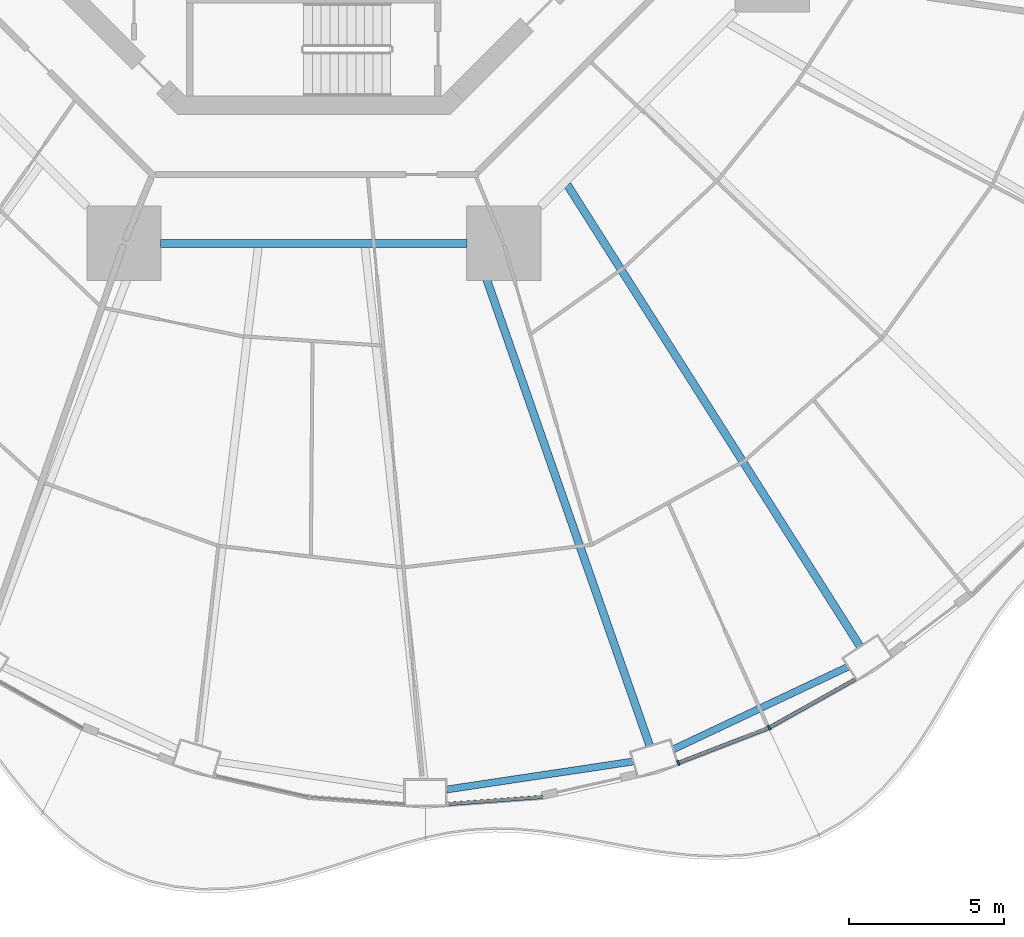
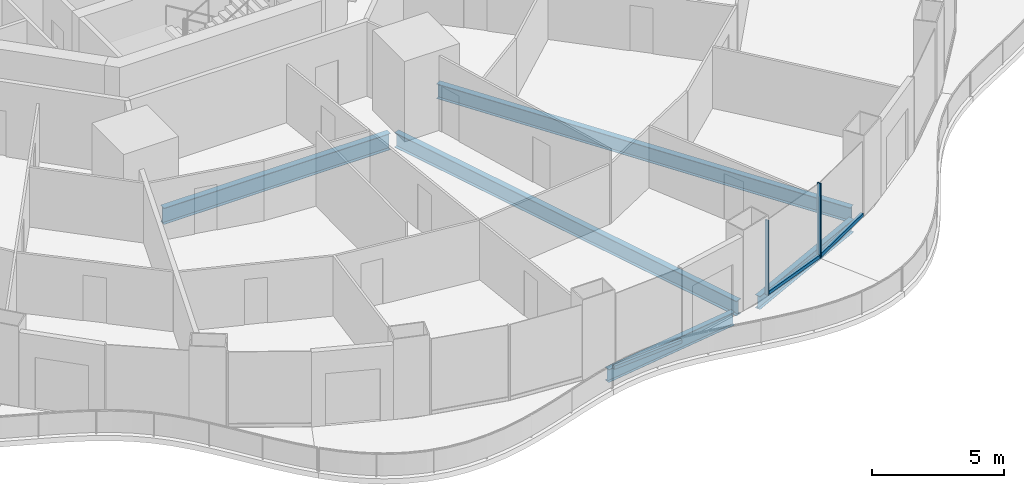
# One storey, part 4 of 22: 5 beams, 5 members, 3 elements without a shape of their own.
"""IFC4 building model written with IfcOpenShell, lengths in metres."""

from ifc_helpers import new_model, si_unit, direction, frame, origin, origin_2d, place, context, subcontext, project, spatial, rectangle, i_section, extrude, material, layer, layer_set, material_profile, profile_set, type_object, element, aggregate, save


model = new_model("IFC4")

# Units and contexts
model_context = context("Model", 3, precision=1e-05, world=origin(), true_north=direction((0.0, 1.0)))
body_context = subcontext(model_context, "Body", "Model", "MODEL_VIEW")
ifc_project = project(units=[si_unit("LENGTHUNIT", "METRE"), si_unit("AREAUNIT", "SQUARE_METRE"), si_unit("VOLUMEUNIT", "CUBIC_METRE"), si_unit("PLANEANGLEUNIT", "RADIAN"), si_unit("MASSUNIT", "GRAM", prefix="KILO")], contexts=[model_context])

# Site, building, storey
site_placement = place(None, origin())
site = spatial("IfcSite", under=ifc_project, at=site_placement, CompositionType="ELEMENT")
building_placement = place(site_placement, origin())
building = spatial("IfcBuilding", under=site, at=building_placement, Name="Nagisa Residences", CompositionType="ELEMENT")
storey_placement = place(building_placement, frame((0.0, 0.0, 30.699951171875)))
storey = spatial("IfcBuildingStorey", under=building, at=storey_placement, Name="L06", CompositionType="ELEMENT", Elevation=30.699951171875)

# Curtain wall, member
ifc_material_1 = material(Name="Concrete-coloured aluminium curtain wall system", Category="concrete")
ifc_layer = layer(ifc_material_1, 0.159912109375)
ifc_layer_set = layer_set([ifc_layer], Name="CW1 CURTAIN WALL")
curtain_wall_type = type_object("IfcCurtainWallType", Name="CW1 CURTAIN WALL", PredefinedType="NOTDEFINED", material=ifc_layer_set)
curtain_wall_1_placement = place(storey_placement, origin())
curtain_wall_1 = element("IfcCurtainWall", 1, at=curtain_wall_1_placement, inside=storey, type_object=curtain_wall_type, Name="cw:CW1:L06:38", PredefinedType="NOTDEFINED")
ifc_material_2 = material(Name="Concrete-coloured aluminium", Category="concrete")
ifc_material_profile_1 = material_profile(ifc_material_2, rectangle(XDim=0.159912109375, YDim=0.06005859375, at=origin_2d()), Name="CW1 MULLION 160x60")
ifc_profile_set_1 = profile_set([ifc_material_profile_1], Name="Concrete-coloured aluminium")
member_type_1 = type_object("IfcMemberType", Name="CW1 MULLION 160x60", PredefinedType="MULLION", material=ifc_profile_set_1)
member_1_placement = place(storey_placement, frame((11.7578125, -31.537841796875, 0.0), z_axis=(0.0, 0.0, 1.0), x_axis=(-0.360327770268, 0.932825759707, 0.0)))
member_1 = element("IfcMember", 2, at=member_1_placement, type_object=member_type_1, Name="CW1 mullion", PredefinedType="MULLION", context=body_context, shape_type="SweptSolid", body=[
    extrude(rectangle(XDim=0.159912109375, YDim=0.06005859375, at=origin_2d()), origin(), (0.0, 0.0, 1.0), 3.43994140625),
])

curtain_wall_2_placement = place(storey_placement, origin())
curtain_wall_2 = element("IfcCurtainWall", 3, at=curtain_wall_2_placement, inside=storey, type_object=curtain_wall_type, Name="cw:CW1:L06:39", PredefinedType="NOTDEFINED")
member_2_placement = place(storey_placement, frame((14.684814453125, -30.403564453125, 0.0), z_axis=(0.0, 0.0, 1.0), x_axis=(-0.489376918501, 0.872072377523, 0.0)))
member_2 = element("IfcMember", 4, at=member_2_placement, type_object=member_type_1, Name="CW1 mullion", PredefinedType="MULLION", context=body_context, shape_type="SweptSolid", body=[
    extrude(rectangle(XDim=0.159912109375, YDim=0.06005859375, at=origin_2d()), origin(), (0.0, 0.0, 1.0), 3.43994140625),
])

curtain_wall_3_placement = place(storey_placement, origin())
curtain_wall_3 = element("IfcCurtainWall", 5, at=curtain_wall_3_placement, inside=storey, type_object=curtain_wall_type, Name="cw:CW1:L06:36", PredefinedType="NOTDEFINED")
ifc_material_3 = material(Name="Concrete-coloured aluminium", Category="concrete")
ifc_material_profile_2 = material_profile(ifc_material_3, rectangle(XDim=0.1201171875, YDim=0.14990234375, at=origin_2d()), Name="CW1 TRANSOM 120x150")
ifc_profile_set_2 = profile_set([ifc_material_profile_2], Name="Concrete-coloured aluminium")
member_type_2 = type_object("IfcMemberType", Name="CW1 TRANSOM 120x150", PredefinedType="USERDEFINED", material=ifc_profile_set_2)
member_3_placement = place(storey_placement, frame((4.2919921875, -32.8681640625, 0.074951171875), z_axis=(0.997231270995, 0.07436257224, 0.0), x_axis=(-0.07436257224, 0.997231270995, 0.0)))
member_3 = element("IfcMember", 6, at=member_3_placement, type_object=member_type_2, Name="CW1 transom", ObjectType="TRANSOM", PredefinedType="USERDEFINED", context=body_context, shape_type="SweptSolid", body=[
    extrude(rectangle(XDim=0.1201171875, YDim=0.14990234375, at=origin_2d()), origin(), (0.0, 0.0, 1.0), 3.095947265625),
])
aggregate(curtain_wall_3, [member_3])

# Member
member_4_placement = place(storey_placement, frame((11.72998046875, -31.548583984375, 0.074951171875), z_axis=(0.932825366452, 0.360328788337, 0.0), x_axis=(-0.360328788337, 0.932825366452, 0.0)))
member_4 = element("IfcMember", 7, at=member_4_placement, type_object=member_type_2, Name="CW1 transom", ObjectType="TRANSOM", PredefinedType="USERDEFINED", context=body_context, shape_type="SweptSolid", body=[
    extrude(rectangle(XDim=0.1201171875, YDim=0.14990234375, at=origin_2d()), origin(), (0.0, 0.0, 1.0), 3.150634765625),
])

aggregate(curtain_wall_1, [member_1, member_4])

member_5_placement = place(storey_placement, frame((14.65869140625, -30.418212890625, 0.074951171875), z_axis=(0.872070011948, 0.489381133946, 0.0), x_axis=(-0.489381133946, 0.872070011948, 0.0)))
member_5 = element("IfcMember", 8, at=member_5_placement, type_object=member_type_2, Name="CW1 transom", ObjectType="TRANSOM", PredefinedType="USERDEFINED", context=body_context, shape_type="SweptSolid", body=[
    extrude(rectangle(XDim=0.1201171875, YDim=0.14990234375, at=origin_2d()), origin(), (0.0, 0.0, 1.0), 3.201171875),
])

aggregate(curtain_wall_2, [member_2, member_5])

# Beams
ifc_material_4 = material(Name="Steel ASTM A572 Gr 50", Category="steel")
ifc_material_profile_3 = material_profile(ifc_material_4, i_section(OverallWidth=0.264892578125, OverallDepth=0.7529296875, WebThickness=0.01318359375, FlangeThickness=0.01708984375, at=origin_2d()), Name="W760x147")
ifc_profile_set_3 = profile_set([ifc_material_profile_3], Name="Steel ASTM A572 Gr 50")
beam_type_1 = type_object("IfcBeamType", Name="Inner ring beam W760x147", PredefinedType="BEAM", material=ifc_profile_set_3)
beam_1_placement = place(storey_placement, frame((-4.94287109375, -14.781982421875, -0.636474609375), z_axis=(1.0, 0.0, 0.0), x_axis=(0.0, 1.0, 0.0)))
element("IfcBeam", 9, at=beam_1_placement, inside=storey, type_object=beam_type_1, Name="beam:L06:ib6", PredefinedType="BEAM", context=body_context, shape_type="SweptSolid", body=[
    extrude(i_section(OverallWidth=0.264892578125, OverallDepth=0.7529296875, WebThickness=0.01318359375, FlangeThickness=0.01708984375, at=origin_2d()), origin(), (0.0, 0.0, 1.0), 9.8857421875),
])
ifc_material_5 = material(Name="Steel ASTM A572 Gr 50", Category="steel")
ifc_material_profile_4 = material_profile(ifc_material_5, i_section(OverallWidth=0.22802734375, OverallDepth=0.60302734375, WebThickness=0.010498046875, FlangeThickness=0.014892578125, at=origin_2d()), Name="W610x101")
ifc_profile_set_4 = profile_set([ifc_material_profile_4], Name="Steel ASTM A572 Gr 50")
beam_type_2 = type_object("IfcBeamType", Name="Perimeter ring beam W610x101", PredefinedType="BEAM", material=ifc_profile_set_4)
beam_2_placement = place(storey_placement, frame((4.2802734375, -32.39794921875, -0.5615234375), z_axis=(0.988914559467, 0.14848566959, 0.0), x_axis=(-0.14848566959, 0.988914559467, 0.0)))
element("IfcBeam", 10, at=beam_2_placement, inside=storey, type_object=beam_type_2, Name="beam:L06:pb19", PredefinedType="BEAM", context=body_context, shape_type="SweptSolid", body=[
    extrude(i_section(OverallWidth=0.22802734375, OverallDepth=0.60302734375, WebThickness=0.010498046875, FlangeThickness=0.014892578125, at=origin_2d()), origin(), (0.0, 0.0, 1.0), 6.08349609375),
])
beam_3_placement = place(storey_placement, frame((11.597900390625, -31.098876953125, -0.5615234375), z_axis=(0.904215426643, 0.427076646774, 0.0), x_axis=(-0.427076646774, 0.904215426643, 0.0)))
element("IfcBeam", 11, at=beam_3_placement, inside=storey, type_object=beam_type_2, Name="beam:L06:pb20", PredefinedType="BEAM", context=body_context, shape_type="SweptSolid", body=[
    extrude(i_section(OverallWidth=0.22802734375, OverallDepth=0.60302734375, WebThickness=0.010498046875, FlangeThickness=0.014892578125, at=origin_2d()), origin(), (0.0, 0.0, 1.0), 6.2275390625),
])
ifc_material_6 = material(Name="Steel ASTM A572 Gr 50", Category="steel")
ifc_material_profile_5 = material_profile(ifc_material_6, i_section(OverallWidth=0.25390625, OverallDepth=0.68408203125, WebThickness=0.012451171875, FlangeThickness=0.018798828125, at=origin_2d()), Name="W690x140")
ifc_profile_set_5 = profile_set([ifc_material_profile_5], Name="Steel ASTM A572 Gr 50")
beam_type_3 = type_object("IfcBeamType", Name="Radial beam W690x140", PredefinedType="BEAM", material=ifc_profile_set_5)
beam_4_placement = place(storey_placement, frame((10.834228515625, -30.986328125, -0.60205078125), z_axis=(-0.330051195485, 0.943963033364, 0.0), x_axis=(-0.943963033364, -0.330051195485, 0.0)))
element("IfcBeam", 12, at=beam_4_placement, inside=storey, type_object=beam_type_3, Name="beam:L06:rb20", PredefinedType="BEAM", context=body_context, shape_type="SweptSolid", body=[
    extrude(i_section(OverallWidth=0.25390625, OverallDepth=0.68408203125, WebThickness=0.012451171875, FlangeThickness=0.018798828125, at=origin_2d()), origin(), (0.0, 0.0, 1.0), 17.045654296875),
])
beam_5_placement = place(storey_placement, frame((17.61962890625, -27.78271484375, -0.60205078125), z_axis=(-0.53556610664, 0.844493306911, 0.0), x_axis=(-0.844493306911, -0.53556610664, 0.0)))
element("IfcBeam", 13, at=beam_5_placement, inside=storey, type_object=beam_type_3, Name="beam:L06:rb21", PredefinedType="BEAM", context=body_context, shape_type="SweptSolid", body=[
    extrude(i_section(OverallWidth=0.25390625, OverallDepth=0.68408203125, WebThickness=0.012451171875, FlangeThickness=0.018798828125, at=origin_2d()), origin(), (0.0, 0.0, 1.0), 17.63525390625),
])

save(model, "model.ifc")
